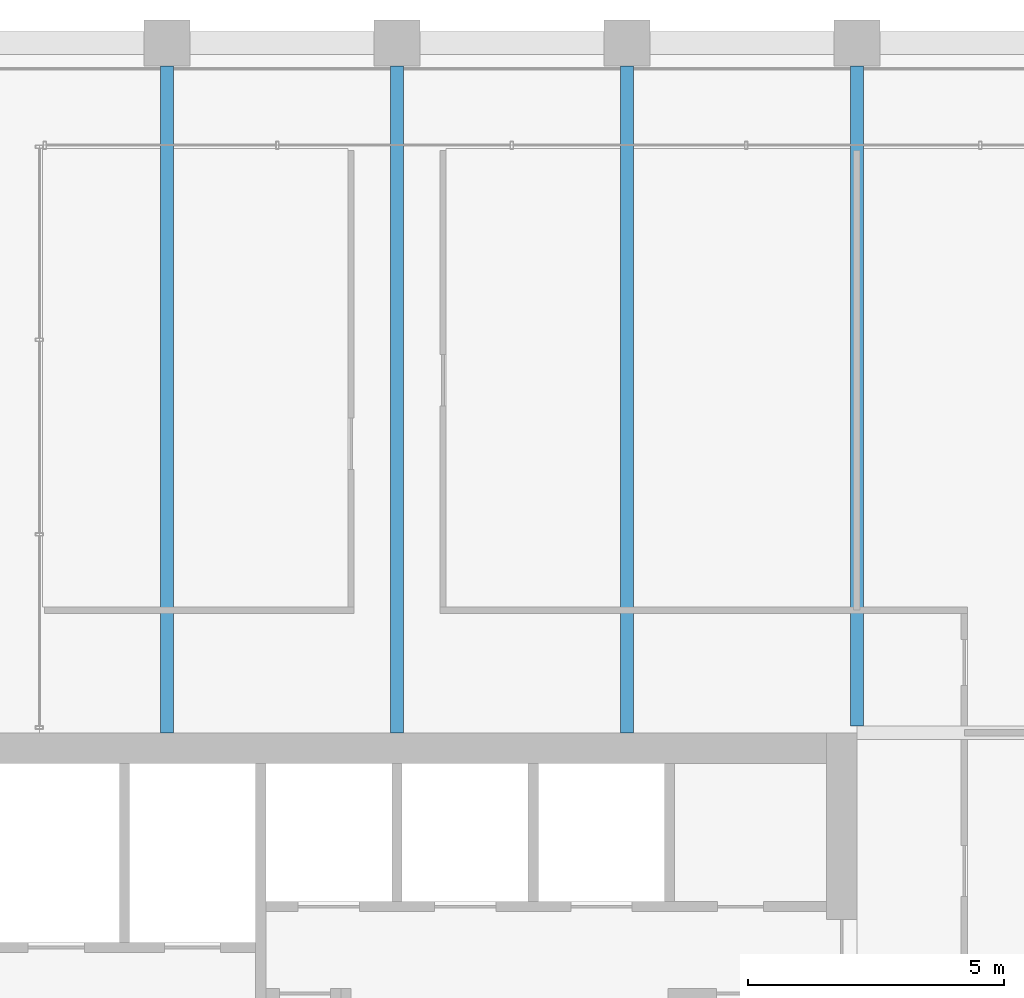
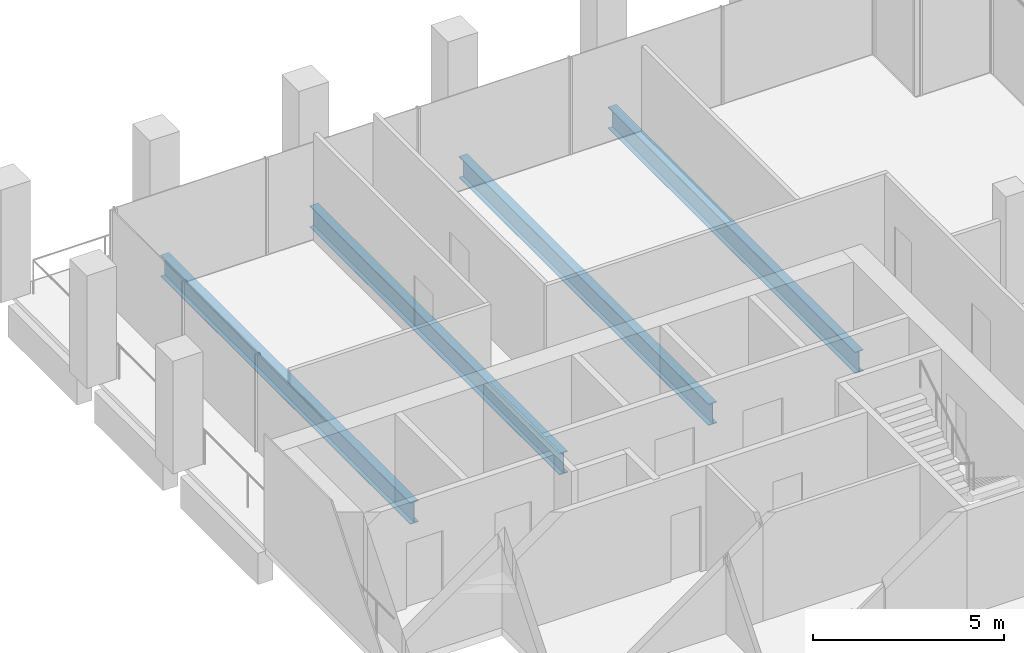
# One storey, part 22 of 40: 4 beams.
"""IFC4 building model written with IfcOpenShell, lengths in metres."""

from ifc_helpers import new_model, si_unit, direction, frame, origin, origin_2d, place, context, subcontext, project, spatial, i_section, extrude, material, material_profile, profile_set, type_object, element, save


model = new_model("IFC4")

# Units and contexts
model_context = context("Model", 3, precision=1e-05, world=origin(), true_north=direction((0.0, 1.0)))
body_context = subcontext(model_context, "Body", "Model", "MODEL_VIEW")
ifc_project = project(units=[si_unit("LENGTHUNIT", "METRE"), si_unit("AREAUNIT", "SQUARE_METRE"), si_unit("VOLUMEUNIT", "CUBIC_METRE"), si_unit("PLANEANGLEUNIT", "RADIAN"), si_unit("MASSUNIT", "GRAM", prefix="KILO")], contexts=[model_context])

# Site, building, storey
site_placement = place(None, origin())
site = spatial("IfcSite", under=ifc_project, at=site_placement, CompositionType="ELEMENT")
building_placement = place(site_placement, origin())
building = spatial("IfcBuilding", under=site, at=building_placement, Name="Altepetl Exchange Towers", CompositionType="ELEMENT")
storey_placement = place(building_placement, frame((0.0, 0.0, 151.0)))
storey = spatial("IfcBuildingStorey", under=building, at=storey_placement, Name="L37", CompositionType="ELEMENT", Elevation=151.0)

# Beams
ifc_material = material(Name="Steel S355", Category="steel")
ifc_material_profile = material_profile(ifc_material, i_section(OverallWidth=0.25390625, OverallDepth=0.68408203125, WebThickness=0.012451171875, FlangeThickness=0.018798828125, at=origin_2d()), Name="W27X94")
ifc_profile_set = profile_set([ifc_material_profile], Name="Steel S355")
beam_type = type_object("IfcBeamType", Name="Floor beam W27X94", PredefinedType="BEAM", material=ifc_profile_set)
for number, where, z_axis, x_axis, name in (
    (1, (45.0, 58.5, -0.491943359375), (0.0, 1.0, 0.0), (-1.0, 0.0, 0.0), "bm:A:L37:000"),
    (2, (49.5, 58.5, -0.491943359375), (0.0, 1.0, 0.0), (-1.0, 0.0, 0.0), "bm:A:L37:001"),
    (3, (54.0, 58.5, -0.491943359375), (0.0, 1.0, 0.0), (-1.0, 0.0, 0.0), "bm:A:L37:002"),
):
    element("IfcBeam", number, at=place(storey_placement, frame(where, z_axis=z_axis, x_axis=x_axis)), inside=storey, type_object=beam_type, Name=name, PredefinedType="BEAM", context=body_context, shape_type="SweptSolid", body=[
        extrude(i_section(OverallWidth=0.25390625, OverallDepth=0.68408203125, WebThickness=0.012451171875, FlangeThickness=0.018798828125, at=origin_2d()), origin(), (0.0, 0.0, 1.0), 13.050048828125),
    ])
beam_placement = place(storey_placement, frame((58.5, 58.634033203125, -0.491943359375), z_axis=(0.0, 1.0, 0.0), x_axis=(-1.0, 0.0, 0.0)))
element("IfcBeam", 4, at=beam_placement, inside=storey, type_object=beam_type, Name="bm:A:L37:003", PredefinedType="BEAM", context=body_context, shape_type="SweptSolid", body=[
    extrude(i_section(OverallWidth=0.25390625, OverallDepth=0.68408203125, WebThickness=0.012451171875, FlangeThickness=0.018798828125, at=origin_2d()), origin(), (0.0, 0.0, 1.0), 12.916015625),
])

save(model, "model.ifc")
